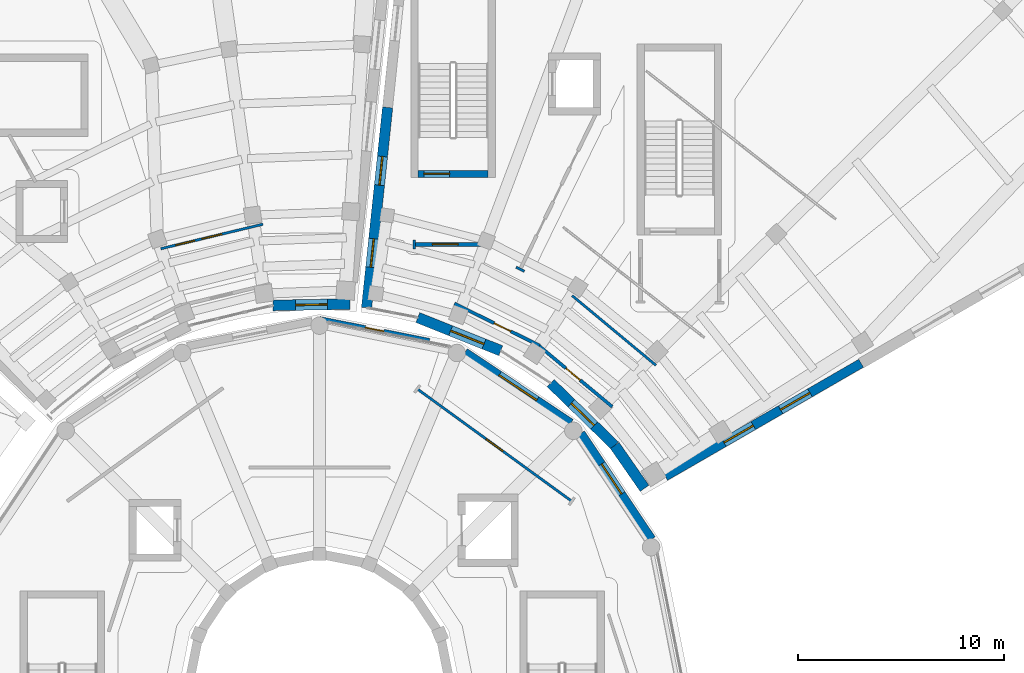
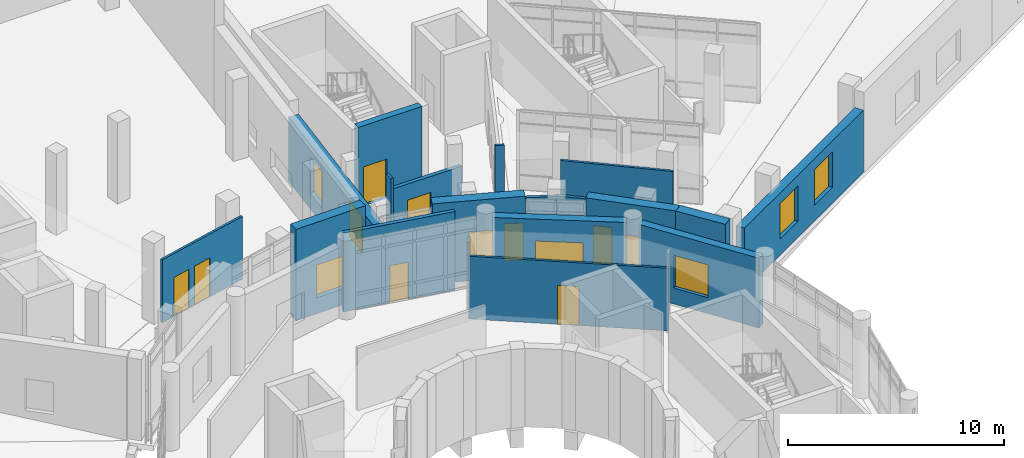
# One storey, part 36 of 49: 18 walls, 9 windows, 8 doors, 17 openings.
"""IFC4 building model written with IfcOpenShell, lengths in metres."""

from ifc_helpers import new_model, si_unit, direction, frame, frame_2d, origin, place, context, subcontext, project, spatial, rectangle, extrude, material, layer, layer_set, type_object, element, fill, save


model = new_model("IFC4")

# Units and contexts
model_context = context("Model", 3, precision=1e-05, world=origin(), true_north=direction((0.0, 1.0)))
body_context = subcontext(model_context, "Body", "Model", "MODEL_VIEW")
ifc_project = project(units=[si_unit("LENGTHUNIT", "METRE"), si_unit("AREAUNIT", "SQUARE_METRE"), si_unit("VOLUMEUNIT", "CUBIC_METRE"), si_unit("PLANEANGLEUNIT", "RADIAN"), si_unit("MASSUNIT", "GRAM", prefix="KILO")], contexts=[model_context])

# Site, building, storey
site_placement = place(None, origin())
site = spatial("IfcSite", under=ifc_project, at=site_placement, CompositionType="ELEMENT")
building_placement = place(site_placement, origin())
building = spatial("IfcBuilding", under=site, at=building_placement, Name="Soyqirgoq Riverine Aquarium", CompositionType="ELEMENT")
storey_placement = place(building_placement, frame((0.0, 0.0, 15.0)))
storey = spatial("IfcBuildingStorey", under=building, at=storey_placement, Name="L04", CompositionType="ELEMENT", Elevation=15.0)

# Wall, opening, door
ifc_material_1 = material(Name="Concrete C40/50", Category="concrete")
ifc_layer_1 = layer(ifc_material_1, 0.35009765625)
ifc_layer_set_1 = layer_set([ifc_layer_1], Name="Concrete C40/50")
wall_type_1 = type_object("IfcWallType", Name="CoreShearWall_350_C40", PredefinedType="SHEAR", material=ifc_layer_set_1)
wall_1_placement = place(storey_placement, frame((60.800048828125, 81.824951171875, 0.0), z_axis=(0.0, 0.0, 1.0), x_axis=(1.0, 0.0, 0.0)))
wall_1 = element("IfcWall", 1, at=wall_1_placement, inside=storey, type_object=wall_type_1, Name="CORE-5A L04 Stair Core Shear Wall FRONT", PredefinedType="SHEAR", context=body_context, shape_type="SweptSolid", body=[
    extrude(rectangle(XDim=3.39990234375, YDim=0.35009765625, at=frame_2d((1.699951171875, 0.0))), origin(), (0.0, 0.0, 1.0), 4.52001953125),
])
opening_1_placement = place(wall_1_placement, frame((0.280029296875, 0.0, 0.0)))
opening_1 = element("IfcOpeningElement", 2, at=opening_1_placement, cuts=wall_1, Name="Opening FD-01", PredefinedType="OPENING", context=body_context, shape_type="SweptSolid", body=[
    extrude(rectangle(XDim=1.25, YDim=2.199951171875, at=frame_2d((0.625, 1.10009765625))), frame((0.0, 0.18505859375, 0.0), z_axis=(0.0, -1.0, 0.0), x_axis=(1.0, 0.0, 0.0)), (0.0, 0.0, 1.0), 0.3701171875),
])
ifc_material_2 = material(Name="Galvanised steel fire-resisting stair door", Category="steel")
door_type_1 = type_object("IfcDoorType", Name="StairFireDoor_1250x2200_EI90", OperationType="NOTDEFINED", PredefinedType="DOOR", material=ifc_material_2)
door_1_placement = place(opening_1_placement, origin())
door_1 = element("IfcDoor", 3, at=door_1_placement, inside=storey, type_object=door_type_1, Name="DR-ST-5-L04 ST-5 L04 Fire-Rated Stairwell Door", OperationType="SINGLE_SWING_LEFT", OverallHeight=2.199951171875, OverallWidth=1.25, PredefinedType="DOOR", context=body_context, shape_type="SweptSolid", body=[
    extrude(rectangle(XDim=1.25, YDim=2.199951171875, at=frame_2d((0.625, 1.10009765625))), frame((0.0, 0.02490234375, 0.0), z_axis=(0.0, -1.0, 0.0), x_axis=(1.0, 0.0, 0.0)), (0.0, 0.0, 1.0), 0.050048828125),
])
fill(opening_1, door_1)

ifc_material_3 = material(Name="Lightweight steel-stud gypsum partition", Category="steel")
ifc_layer_2 = layer(ifc_material_3, 0.1201171875)
ifc_layer_set_2 = layer_set([ifc_layer_2], Name="Lightweight steel-stud gypsum partition")
wall_type_2 = type_object("IfcWallType", Name="PartitionWall_120_Std", PredefinedType="PARTITIONING", material=ifc_layer_set_2)
wall_2_placement = place(storey_placement, frame((60.753662109375, 71.37158203125, 0.0), z_axis=(0.0, 0.0, 1.0), x_axis=(0.809008822634, -0.587796499564, 0.0)))
wall_2 = element("IfcWall", 4, at=wall_2_placement, inside=storey, type_object=wall_type_2, Name="Marine Mammals Observation Room Partition Wall", PredefinedType="PARTITIONING", context=body_context, shape_type="SweptSolid", body=[
    extrude(rectangle(XDim=9.287109375, YDim=0.1201171875, at=frame_2d((4.6435546875, 0.0))), origin(), (0.0, 0.0, 1.0), 3.5400390625),
])
opening_2_placement = place(wall_2_placement, frame((4.1435546875, 0.0, 0.0)))
opening_2 = element("IfcOpeningElement", 5, at=opening_2_placement, cuts=wall_2, Name="Opening ID-03", PredefinedType="OPENING", context=body_context, shape_type="SweptSolid", body=[
    extrude(rectangle(XDim=1.0, YDim=2.199951171875, at=frame_2d((0.5, 1.10009765625))), frame((0.0, 0.070068359375, 0.0), z_axis=(0.0, -1.0, 0.0), x_axis=(1.0, 0.0, 0.0)), (0.0, 0.0, 1.0), 0.14013671875),
])
ifc_material_4 = material(Name="Solid-core ash veneer room door", Category="wood")
door_type_2 = type_object("IfcDoorType", Name="RoomDoor_1000x2200", OperationType="NOTDEFINED", PredefinedType="DOOR", material=ifc_material_4)
door_2_placement = place(opening_2_placement, origin())
door_2 = element("IfcDoor", 6, at=door_2_placement, inside=storey, type_object=door_type_2, Name="IDR-V1-L04-0049 Ocean Drum Circulation Corridor Door", OperationType="SINGLE_SWING_RIGHT", OverallHeight=2.199951171875, OverallWidth=1.0, PredefinedType="DOOR", context=body_context, shape_type="SweptSolid", body=[
    extrude(rectangle(XDim=1.0, YDim=2.199951171875, at=frame_2d((0.5, 1.10009765625))), frame((0.0, 0.02490234375, 0.0), z_axis=(0.0, -1.0, 0.0), x_axis=(1.0, 0.0, 0.0)), (0.0, 0.0, 1.0), 0.050048828125),
])
fill(opening_2, door_2)

# Wall, openings, doors
wall_3_placement = place(storey_placement, frame((53.251708984375, 79.3818359375, 0.0), z_axis=(0.0, 0.0, 1.0), x_axis=(-0.972378185718, -0.233410933633, 0.0)))
wall_3 = element("IfcWall", 7, at=wall_3_placement, inside=storey, type_object=wall_type_2, Name="V4 Gallery Circulation Corridor Partition Wall", PredefinedType="PARTITIONING", context=body_context, shape_type="SweptSolid", body=[
    extrude(rectangle(XDim=5.10546875, YDim=0.1201171875, at=frame_2d((2.552734375, 0.0))), origin(), (0.0, 0.0, 1.0), 3.550048828125),
])
opening_3_placement = place(wall_3_placement, frame((2.052734375, 0.0, 0.0)))
opening_3 = element("IfcOpeningElement", 8, at=opening_3_placement, cuts=wall_3, Name="Opening ID-03", PredefinedType="OPENING", context=body_context, shape_type="SweptSolid", body=[
    extrude(rectangle(XDim=1.0, YDim=2.199951171875, at=frame_2d((0.5, 1.10009765625))), frame((0.0, 0.070068359375, 0.0), z_axis=(0.0, -1.0, 0.0), x_axis=(1.0, 0.0, 0.0)), (0.0, 0.0, 1.0), 0.14013671875),
])
opening_4_placement = place(wall_3_placement, frame((3.407470703125, 0.0, 0.0)))
opening_4 = element("IfcOpeningElement", 9, at=opening_4_placement, cuts=wall_3, Name="Opening ID-06", PredefinedType="OPENING", context=body_context, shape_type="SweptSolid", body=[
    extrude(rectangle(XDim=0.949951171875, YDim=2.199951171875, at=frame_2d((0.47509765625, 1.10009765625))), frame((0.0, 0.070068359375, 0.0), z_axis=(0.0, -1.0, 0.0), x_axis=(1.0, 0.0, 0.0)), (0.0, 0.0, 1.0), 0.14013671875),
])
door_3_placement = place(opening_3_placement, origin())
door_3 = element("IfcDoor", 10, at=door_3_placement, inside=storey, type_object=door_type_2, Name="IDR-V4-L04-0129 Coral Propagation Nursery Door", OperationType="SINGLE_SWING_LEFT", OverallHeight=2.199951171875, OverallWidth=1.0, PredefinedType="DOOR", context=body_context, shape_type="SweptSolid", body=[
    extrude(rectangle(XDim=1.0, YDim=2.199951171875, at=frame_2d((0.5, 1.10009765625))), frame((0.0, 0.02490234375, 0.0), z_axis=(0.0, -1.0, 0.0), x_axis=(1.0, 0.0, 0.0)), (0.0, 0.0, 1.0), 0.050048828125),
])
fill(opening_3, door_3)
ifc_material_5 = material(Name="Moisture-resistant HPL washroom door", Category="wood")
door_type_3 = type_object("IfcDoorType", Name="WCDoor_950x2200", OperationType="NOTDEFINED", PredefinedType="DOOR", material=ifc_material_5)
door_4_placement = place(opening_4_placement, origin())
door_4 = element("IfcDoor", 11, at=door_4_placement, inside=storey, type_object=door_type_3, Name="IDR-V4-L04-0134 V4 Gallery Circulation Corridor Access Door", OperationType="SINGLE_SWING_LEFT", OverallHeight=2.199951171875, OverallWidth=0.949951171875, PredefinedType="DOOR", context=body_context, shape_type="SweptSolid", body=[
    extrude(rectangle(XDim=0.949951171875, YDim=2.199951171875, at=frame_2d((0.47509765625, 1.10009765625))), frame((0.0, 0.02490234375, 0.0), z_axis=(0.0, -1.0, 0.0), x_axis=(1.0, 0.0, 0.0)), (0.0, 0.0, 1.0), 0.050048828125),
])
fill(opening_4, door_4)

# Walls
wall_4_placement = place(storey_placement, frame((72.357177734375, 72.5224609375, 0.0), z_axis=(0.0, 0.0, 1.0), x_axis=(-0.768847565949, 0.639432107682, 0.0)))
element("IfcWall", 12, at=wall_4_placement, inside=storey, type_object=wall_type_2, Name="V5 Gallery Circulation Corridor Partition Wall", PredefinedType="PARTITIONING", context=body_context, shape_type="SweptSolid", body=[
    extrude(rectangle(XDim=5.301025390625, YDim=0.1201171875, at=frame_2d((2.650390625, 0.0))), origin(), (0.0, 0.0, 1.0), 3.56005859375),
])
wall_5_placement = place(storey_placement, frame((60.60009765625, 78.179931640625, 0.0), z_axis=(0.0, 0.0, 1.0), x_axis=(0.0, 1.0, 0.0)))
element("IfcWall", 13, at=wall_5_placement, inside=storey, type_object=wall_type_2, Name="V5 L04 Jamb Return Pier", PredefinedType="PARTITIONING", context=body_context, shape_type="SweptSolid", body=[
    extrude(rectangle(XDim=0.440185546875, YDim=0.1201171875, at=frame_2d((0.22021484375, 0.0))), origin(), (0.0, 0.0, 1.0), 3.830078125),
])
wall_6_placement = place(storey_placement, frame((65.955810546875, 77.093505859375, 0.0), z_axis=(0.0, 0.0, 1.0), x_axis=(-0.898715089152, 0.438532995942, 0.0)))
element("IfcWall", 14, at=wall_6_placement, inside=storey, type_object=wall_type_2, Name="V5 L04 Jamb Return Pier", PredefinedType="PARTITIONING", context=body_context, shape_type="SweptSolid", body=[
    extrude(rectangle(XDim=0.439697265625, YDim=0.1201171875, at=frame_2d((0.2197265625, 0.0))), origin(), (0.0, 0.0, 1.0), 4.52001953125),
])

# Wall, opening, door
ifc_material_6 = material(Name="Fire-rated acoustic gypsum stud partition", Category="gypsum")
ifc_layer_3 = layer(ifc_material_6, 0.159912109375)
ifc_layer_set_3 = layer_set([ifc_layer_3], Name="Fire-rated acoustic gypsum stud partition")
wall_type_3 = type_object("IfcWallType", Name="PartitionWall_160_EI60", PredefinedType="PARTITIONING", material=ifc_layer_set_3)
wall_7_placement = place(storey_placement, frame((62.559326171875, 75.52294921875, 0.0), z_axis=(0.0, 0.0, 1.0), x_axis=(0.896876614616, -0.442280836296, 0.0)))
wall_7 = element("IfcWall", 15, at=wall_7_placement, inside=storey, type_object=wall_type_3, Name="V5 Gallery Circulation Corridor Partition Wall", PredefinedType="PARTITIONING", context=body_context, shape_type="SweptSolid", body=[
    extrude(rectangle(XDim=4.619140625, YDim=0.159912109375, at=frame_2d((2.3095703125, 0.0))), origin(), (0.0, 0.0, 1.0), 3.56005859375),
])
opening_5_placement = place(wall_7_placement, frame((2.1572265625, 0.0, 0.0)))
opening_5 = element("IfcOpeningElement", 16, at=opening_5_placement, cuts=wall_7, Name="Opening RD-01", PredefinedType="OPENING", context=body_context, shape_type="SweptSolid", body=[
    extrude(rectangle(XDim=0.89990234375, YDim=2.10009765625, at=frame_2d((0.449951171875, 1.050048828125))), frame((0.0, 0.08984375, 0.0), z_axis=(0.0, -1.0, 0.0), x_axis=(1.0, 0.0, 0.0)), (0.0, 0.0, 1.0), 0.179931640625),
])
ifc_material_7 = material(Name="Flush steel service riser fire door", Category="steel")
door_type_4 = type_object("IfcDoorType", Name="RiserAccessDoor_900x2100_EI60", OperationType="NOTDEFINED", PredefinedType="DOOR", material=ifc_material_7)
door_5_placement = place(opening_5_placement, origin())
door_5 = element("IfcDoor", 17, at=door_5_placement, inside=storey, type_object=door_type_4, Name="IDR-V5-L04-0157 Larval Rearing Aquaculture Lab Door", OperationType="SINGLE_SWING_LEFT", OverallHeight=2.10009765625, OverallWidth=0.89990234375, PredefinedType="DOOR", context=body_context, shape_type="SweptSolid", body=[
    extrude(rectangle(XDim=0.89990234375, YDim=2.10009765625, at=frame_2d((0.449951171875, 1.050048828125))), frame((0.0, 0.02490234375, 0.0), z_axis=(0.0, -1.0, 0.0), x_axis=(1.0, 0.0, 0.0)), (0.0, 0.0, 1.0), 0.050048828125),
])
fill(opening_5, door_5)

wall_8_placement = place(storey_placement, frame((70.231689453125, 70.50537109375, 0.0), z_axis=(0.0, 0.0, 1.0), x_axis=(-0.768814270134, 0.639472140158, 0.0)))
wall_8 = element("IfcWall", 18, at=wall_8_placement, inside=storey, type_object=wall_type_3, Name="Larval Rearing Aquaculture Lab Partition Wall", PredefinedType="PARTITIONING", context=body_context, shape_type="SweptSolid", body=[
    extrude(rectangle(XDim=4.620849609375, YDim=0.159912109375, at=frame_2d((2.310546875, 0.0))), origin(), (0.0, 0.0, 1.0), 3.610107421875),
])
opening_6_placement = place(wall_8_placement, frame((2.025390625, 0.0, 0.0)))
opening_6 = element("IfcOpeningElement", 19, at=opening_6_placement, cuts=wall_8, Name="Opening RD-01", PredefinedType="OPENING", context=body_context, shape_type="SweptSolid", body=[
    extrude(rectangle(XDim=0.89990234375, YDim=2.10009765625, at=frame_2d((0.449951171875, 1.050048828125))), frame((0.0, 0.08984375, 0.0), z_axis=(0.0, -1.0, 0.0), x_axis=(1.0, 0.0, 0.0)), (0.0, 0.0, 1.0), 0.179931640625),
])
door_6_placement = place(opening_6_placement, origin())
door_6 = element("IfcDoor", 20, at=door_6_placement, inside=storey, type_object=door_type_4, Name="IDR-V5-L04-0158 Larval Rearing Aquaculture Lab Door", OperationType="SINGLE_SWING_RIGHT", OverallHeight=2.10009765625, OverallWidth=0.89990234375, PredefinedType="DOOR", context=body_context, shape_type="SweptSolid", body=[
    extrude(rectangle(XDim=0.89990234375, YDim=2.10009765625, at=frame_2d((0.449951171875, 1.050048828125))), frame((0.0, 0.02490234375, 0.0), z_axis=(0.0, -1.0, 0.0), x_axis=(1.0, 0.0, 0.0)), (0.0, 0.0, 1.0), 0.050048828125),
])
fill(opening_6, door_6)

ifc_material_8 = material(Name="Fire-rated calcium silicate twin-stud partition", Category="gypsum")
ifc_layer_4 = layer(ifc_material_8, 0.199951171875)
ifc_layer_set_4 = layer_set([ifc_layer_4], Name="Fire-rated calcium silicate twin-stud partition")
wall_type_4 = type_object("IfcWallType", Name="PartitionWall_200_EI90", PredefinedType="PARTITIONING", material=ifc_layer_set_4)
wall_9_placement = place(storey_placement, frame((61.352294921875, 73.7314453125, 0.0), z_axis=(0.0, 0.0, 1.0), x_axis=(-0.980783190209, 0.195100829836, 0.0)))
wall_9 = element("IfcWall", 21, at=wall_9_placement, inside=storey, type_object=wall_type_4, Name="Interactive Reef Classroom Partition Wall", PredefinedType="PARTITIONING", context=body_context, shape_type="SweptSolid", body=[
    extrude(rectangle(XDim=5.457275390625, YDim=0.199951171875, at=frame_2d((2.728515625, 0.0))), origin(), (0.0, 0.0, 1.0), 4.449951171875),
])
opening_7_placement = place(wall_9_placement, frame((2.278564453125, 0.0, 0.0)))
opening_7 = element("IfcOpeningElement", 22, at=opening_7_placement, cuts=wall_9, Name="Opening RD-01", PredefinedType="OPENING", context=body_context, shape_type="SweptSolid", body=[
    extrude(rectangle(XDim=0.89990234375, YDim=2.10009765625, at=frame_2d((0.449951171875, 1.050048828125))), frame((0.0, 0.10986328125, 0.0), z_axis=(0.0, -1.0, 0.0), x_axis=(1.0, 0.0, 0.0)), (0.0, 0.0, 1.0), 0.219970703125),
])
door_7_placement = place(opening_7_placement, origin())
door_7 = element("IfcDoor", 23, at=door_7_placement, inside=storey, type_object=door_type_4, Name="IDR-V1-L04-0052 Interactive Reef Classroom Access Door", OperationType="SINGLE_SWING_LEFT", OverallHeight=2.10009765625, OverallWidth=0.89990234375, PredefinedType="DOOR", context=body_context, shape_type="SweptSolid", body=[
    extrude(rectangle(XDim=0.89990234375, YDim=2.10009765625, at=frame_2d((0.449951171875, 1.050048828125))), frame((0.0, 0.02490234375, 0.0), z_axis=(0.0, -1.0, 0.0), x_axis=(1.0, 0.0, 0.0)), (0.0, 0.0, 1.0), 0.050048828125),
])
fill(opening_7, door_7)

wall_10_placement = place(storey_placement, frame((60.60009765625, 78.39990234375, 0.0), z_axis=(0.0, 0.0, 1.0), x_axis=(1.0, 0.0, 0.0)))
wall_10 = element("IfcWall", 24, at=wall_10_placement, inside=storey, type_object=wall_type_4, Name="Lift and Stair Lobby ST-5 Fire Enclosure Wall", PredefinedType="PARTITIONING", context=body_context, shape_type="SweptSolid", body=[
    extrude(rectangle(XDim=3.7998046875, YDim=0.199951171875, at=frame_2d((1.89990234375, 0.0))), origin(), (0.0, 0.0, 1.0), 3.110107421875),
])
opening_8_placement = place(wall_10_placement, frame((0.892578125, 0.0, 0.0)))
opening_8 = element("IfcOpeningElement", 25, at=opening_8_placement, cuts=wall_10, Name="Opening FD-01", PredefinedType="OPENING", context=body_context, shape_type="SweptSolid", body=[
    extrude(rectangle(XDim=1.25, YDim=2.199951171875, at=frame_2d((0.625, 1.10009765625))), frame((0.0, 0.10986328125, 0.0), z_axis=(0.0, -1.0, 0.0), x_axis=(1.0, 0.0, 0.0)), (0.0, 0.0, 1.0), 0.219970703125),
])
door_8_placement = place(opening_8_placement, origin())
door_8 = element("IfcDoor", 26, at=door_8_placement, inside=storey, type_object=door_type_1, Name="IDR-V5-L04-0155 Lift and Stair Lobby ST-5 Egress Fire Door", OperationType="SINGLE_SWING_LEFT", OverallHeight=2.199951171875, OverallWidth=1.25, PredefinedType="DOOR", context=body_context, shape_type="SweptSolid", body=[
    extrude(rectangle(XDim=1.25, YDim=2.199951171875, at=frame_2d((0.625, 1.10009765625))), frame((0.0, 0.02490234375, 0.0), z_axis=(0.0, -1.0, 0.0), x_axis=(1.0, 0.0, 0.0)), (0.0, 0.0, 1.0), 0.050048828125),
])
fill(opening_8, door_8)

# Wall, openings, windows
ifc_material_9 = material(Name="Honed travertine limestone cavity wall", Category="masonry")
ifc_layer_5 = layer(ifc_material_9, 0.449951171875)
ifc_layer_set_5 = layer_set([ifc_layer_5], Name="Honed travertine limestone cavity wall")
wall_type_5 = type_object("IfcWallType", Name="TravertineCavityWall_450", PredefinedType="SOLIDWALL", material=ifc_layer_set_5)
wall_11_placement = place(storey_placement, frame((82.3349609375, 72.6201171875, 0.0), z_axis=(0.0, 0.0, 1.0), x_axis=(-0.866026601676, -0.499997925185, 0.0)))
wall_11 = element("IfcWall", 27, at=wall_11_placement, inside=storey, type_object=wall_type_5, Name="V5 L04 Exterior Travertine Wall 0320", PredefinedType="SOLIDWALL", context=body_context, shape_type="SweptSolid", body=[
    extrude(rectangle(XDim=10.99609375, YDim=0.449951171875, at=frame_2d((5.498046875, 0.0))), origin(), (0.0, 0.0, 1.0), 3.510009765625),
])
opening_9_placement = place(wall_11_placement, frame((2.873046875, 0.0, 0.89990234375)))
opening_9 = element("IfcOpeningElement", 28, at=opening_9_placement, cuts=wall_11, Name="Opening WN-13", PredefinedType="OPENING", context=body_context, shape_type="SweptSolid", body=[
    extrude(rectangle(XDim=1.64990234375, YDim=2.0, at=frame_2d((0.824951171875, 1.0))), frame((0.0, 0.23486328125, 0.0), z_axis=(0.0, -1.0, 0.0), x_axis=(1.0, 0.0, 0.0)), (0.0, 0.0, 1.0), 0.469970703125),
])
opening_10_placement = place(wall_11_placement, frame((6.052978515625, 0.0, 0.89990234375)))
opening_10 = element("IfcOpeningElement", 29, at=opening_10_placement, cuts=wall_11, Name="Opening WN-13", PredefinedType="OPENING", context=body_context, shape_type="SweptSolid", body=[
    extrude(rectangle(XDim=1.64990234375, YDim=2.0, at=frame_2d((0.824951171875, 1.0))), frame((0.0, 0.23486328125, 0.0), z_axis=(0.0, -1.0, 0.0), x_axis=(1.0, 0.0, 0.0)), (0.0, 0.0, 1.0), 0.469970703125),
])
ifc_material_10 = material(Name="Thermally broken aluminium triple low-E window", Category="aluminium")
window_type_1 = type_object("IfcWindowType", Name="Win_Gallery_1650x2000", PartitioningType="DOUBLE_PANEL_VERTICAL", PredefinedType="WINDOW", material=ifc_material_10)
window_1_placement = place(opening_9_placement, origin())
window_1 = element("IfcWindow", 30, at=window_1_placement, inside=storey, type_object=window_type_1, Name="V5 L04 Facade Window 0266", OverallHeight=2.0, OverallWidth=1.64990234375, PartitioningType="DOUBLE_PANEL_VERTICAL", PredefinedType="WINDOW", context=body_context, shape_type="SweptSolid", body=[
    extrude(rectangle(XDim=1.64990234375, YDim=2.0, at=frame_2d((0.824951171875, 1.0))), frame((0.0, 0.030029296875, 0.0), z_axis=(0.0, -1.0, 0.0), x_axis=(1.0, 0.0, 0.0)), (0.0, 0.0, 1.0), 0.06005859375),
])
fill(opening_9, window_1)
window_2_placement = place(opening_10_placement, origin())
window_2 = element("IfcWindow", 31, at=window_2_placement, inside=storey, type_object=window_type_1, Name="V5 L04 Facade Window 0267", OverallHeight=2.0, OverallWidth=1.64990234375, PartitioningType="DOUBLE_PANEL_VERTICAL", PredefinedType="WINDOW", context=body_context, shape_type="SweptSolid", body=[
    extrude(rectangle(XDim=1.64990234375, YDim=2.0, at=frame_2d((0.824951171875, 1.0))), frame((0.0, 0.030029296875, 0.0), z_axis=(0.0, -1.0, 0.0), x_axis=(1.0, 0.0, 0.0)), (0.0, 0.0, 1.0), 0.06005859375),
])
fill(opening_10, window_2)

# Wall, opening, window
ifc_material_11 = material(Name="Honed travertine limestone cavity wall", Category="masonry")
ifc_layer_6 = layer(ifc_material_11, 0.5)
ifc_layer_set_6 = layer_set([ifc_layer_6], Name="Honed travertine limestone cavity wall")
wall_type_6 = type_object("IfcWallType", Name="TravertineCavityWall_500", PredefinedType="SOLIDWALL", material=ifc_layer_set_6)
wall_12_placement = place(storey_placement, frame((70.35400390625, 68.623779296875, 0.0), z_axis=(0.0, 0.0, 1.0), x_axis=(-0.716323988625, 0.697767829095, 0.0)))
wall_12 = element("IfcWall", 32, at=wall_12_placement, inside=storey, type_object=wall_type_6, Name="V5 L04 Exterior Travertine Wall 0301", PredefinedType="SOLIDWALL", context=body_context, shape_type="SweptSolid", body=[
    extrude(rectangle(XDim=4.341796875, YDim=0.5, at=frame_2d((2.1708984375, 0.0))), origin(), (0.0, 0.0, 1.0), 4.52001953125),
])
opening_11_placement = place(wall_12_placement, frame((1.39599609375, 0.0, 0.89990234375)))
opening_11 = element("IfcOpeningElement", 33, at=opening_11_placement, cuts=wall_12, Name="Opening WN-18", PredefinedType="OPENING", context=body_context, shape_type="SweptSolid", body=[
    extrude(rectangle(XDim=1.550048828125, YDim=1.85009765625, at=frame_2d((0.77490234375, 0.925048828125))), frame((0.0, 0.260009765625, 0.0), z_axis=(0.0, -1.0, 0.0), x_axis=(1.0, 0.0, 0.0)), (0.0, 0.0, 1.0), 0.52001953125),
])
ifc_material_12 = material(Name="Thermally broken aluminium triple low-E window", Category="aluminium")
window_type_2 = type_object("IfcWindowType", Name="Win_Office_1550x1850", PartitioningType="DOUBLE_PANEL_VERTICAL", PredefinedType="WINDOW", material=ifc_material_12)
window_3_placement = place(opening_11_placement, origin())
window_3 = element("IfcWindow", 34, at=window_3_placement, inside=storey, type_object=window_type_2, Name="V5 L04 Facade Window 0243", OverallHeight=1.85009765625, OverallWidth=1.550048828125, PartitioningType="DOUBLE_PANEL_VERTICAL", PredefinedType="WINDOW", context=body_context, shape_type="SweptSolid", body=[
    extrude(rectangle(XDim=1.550048828125, YDim=1.85009765625, at=frame_2d((0.77490234375, 0.925048828125))), frame((0.0, 0.030029296875, 0.0), z_axis=(0.0, -1.0, 0.0), x_axis=(1.0, 0.0, 0.0)), (0.0, 0.0, 1.0), 0.06005859375),
])
fill(opening_11, window_3)

# Wall, openings, windows
wall_13_placement = place(storey_placement, frame((58.287353515625, 75.3173828125, 0.0), z_axis=(0.0, 0.0, 1.0), x_axis=(0.104523915148, 0.994522373384, 0.0)))
wall_13 = element("IfcWall", 35, at=wall_13_placement, inside=storey, type_object=wall_type_6, Name="V5 L04 Exterior Travertine Wall 0303", PredefinedType="SOLIDWALL", context=body_context, shape_type="SweptSolid", body=[
    extrude(rectangle(XDim=9.796142578125, YDim=0.5, at=frame_2d((4.89794921875, 0.0))), origin(), (0.0, 0.0, 1.0), 3.659912109375),
])
opening_12_placement = place(wall_13_placement, frame((1.97802734375, 0.0, 0.89990234375)))
opening_12 = element("IfcOpeningElement", 36, at=opening_12_placement, cuts=wall_13, Name="Opening WN-20", PredefinedType="OPENING", context=body_context, shape_type="SweptSolid", body=[
    extrude(rectangle(XDim=1.39990234375, YDim=2.050048828125, at=frame_2d((0.699951171875, 1.02490234375))), frame((0.0, 0.260009765625, 0.0), z_axis=(0.0, -1.0, 0.0), x_axis=(1.0, 0.0, 0.0)), (0.0, 0.0, 1.0), 0.52001953125),
])
opening_13_placement = place(wall_13_placement, frame((5.998046875, 0.0, 0.89990234375)))
opening_13 = element("IfcOpeningElement", 37, at=opening_13_placement, cuts=wall_13, Name="Opening WN-20", PredefinedType="OPENING", context=body_context, shape_type="SweptSolid", body=[
    extrude(rectangle(XDim=1.39990234375, YDim=2.050048828125, at=frame_2d((0.699951171875, 1.02490234375))), frame((0.0, 0.260009765625, 0.0), z_axis=(0.0, -1.0, 0.0), x_axis=(1.0, 0.0, 0.0)), (0.0, 0.0, 1.0), 0.52001953125),
])
ifc_material_13 = material(Name="Thermally broken aluminium triple low-E window", Category="aluminium")
window_type_3 = type_object("IfcWindowType", Name="Win_Gallery_1400x2050", PartitioningType="DOUBLE_PANEL_VERTICAL", PredefinedType="WINDOW", material=ifc_material_13)
window_4_placement = place(opening_12_placement, origin())
window_4 = element("IfcWindow", 38, at=window_4_placement, inside=storey, type_object=window_type_3, Name="V5 L04 Facade Window 0245", OverallHeight=2.050048828125, OverallWidth=1.39990234375, PartitioningType="DOUBLE_PANEL_VERTICAL", PredefinedType="WINDOW", context=body_context, shape_type="SweptSolid", body=[
    extrude(rectangle(XDim=1.39990234375, YDim=2.050048828125, at=frame_2d((0.699951171875, 1.02490234375))), frame((0.0, 0.030029296875, 0.0), z_axis=(0.0, -1.0, 0.0), x_axis=(1.0, 0.0, 0.0)), (0.0, 0.0, 1.0), 0.06005859375),
])
fill(opening_12, window_4)
window_5_placement = place(opening_13_placement, origin())
window_5 = element("IfcWindow", 39, at=window_5_placement, inside=storey, type_object=window_type_3, Name="V5 L04 Facade Window 0246", OverallHeight=2.050048828125, OverallWidth=1.39990234375, PartitioningType="DOUBLE_PANEL_VERTICAL", PredefinedType="WINDOW", context=body_context, shape_type="SweptSolid", body=[
    extrude(rectangle(XDim=1.39990234375, YDim=2.050048828125, at=frame_2d((0.699951171875, 1.02490234375))), frame((0.0, 0.030029296875, 0.0), z_axis=(0.0, -1.0, 0.0), x_axis=(1.0, 0.0, 0.0)), (0.0, 0.0, 1.0), 0.06005859375),
])
fill(opening_13, window_5)

# Wall, opening, window
ifc_material_14 = material(Name="Honed travertine limestone cavity wall", Category="masonry")
ifc_layer_7 = layer(ifc_material_14, 0.52001953125)
ifc_layer_set_7 = layer_set([ifc_layer_7], Name="Honed travertine limestone cavity wall")
wall_type_7 = type_object("IfcWallType", Name="TravertineCavityWall_520", PredefinedType="SOLIDWALL", material=ifc_layer_set_7)
wall_14_placement = place(storey_placement, frame((57.481689453125, 75.499267578125, 0.0), z_axis=(0.0, 0.0, 1.0), x_axis=(-0.99983815897, -0.017990438221, 0.0)))
wall_14 = element("IfcWall", 40, at=wall_14_placement, inside=storey, type_object=wall_type_7, Name="V4 L04 Exterior Travertine Wall 0235", PredefinedType="SOLIDWALL", context=body_context, shape_type="SweptSolid", body=[
    extrude(rectangle(XDim=3.745361328125, YDim=0.52001953125, at=frame_2d((1.87255859375, 0.0))), origin(), (0.0, 0.0, 1.0), 5.159912109375),
])
opening_14_placement = place(wall_14_placement, frame((1.097900390625, 0.0, 0.89990234375)))
opening_14 = element("IfcOpeningElement", 41, at=opening_14_placement, cuts=wall_14, Name="Opening WN-18", PredefinedType="OPENING", context=body_context, shape_type="SweptSolid", body=[
    extrude(rectangle(XDim=1.550048828125, YDim=1.85009765625, at=frame_2d((0.77490234375, 0.925048828125))), frame((0.0, 0.27001953125, 0.0), z_axis=(0.0, -1.0, 0.0), x_axis=(1.0, 0.0, 0.0)), (0.0, 0.0, 1.0), 0.5400390625),
])
window_6_placement = place(opening_14_placement, origin())
window_6 = element("IfcWindow", 42, at=window_6_placement, inside=storey, type_object=window_type_2, Name="V4 L04 Facade Window 0177", OverallHeight=1.85009765625, OverallWidth=1.550048828125, PartitioningType="DOUBLE_PANEL_VERTICAL", PredefinedType="WINDOW", context=body_context, shape_type="SweptSolid", body=[
    extrude(rectangle(XDim=1.550048828125, YDim=1.85009765625, at=frame_2d((0.77490234375, 0.925048828125))), frame((0.0, 0.030029296875, 0.0), z_axis=(0.0, -1.0, 0.0), x_axis=(1.0, 0.0, 0.0)), (0.0, 0.0, 1.0), 0.06005859375),
])
fill(opening_14, window_6)

wall_15_placement = place(storey_placement, frame((64.813232421875, 73.23193359375, 0.0), z_axis=(0.0, 0.0, 1.0), x_axis=(-0.928809819566, 0.370556769036, 0.0)))
wall_15 = element("IfcWall", 43, at=wall_15_placement, inside=storey, type_object=wall_type_7, Name="V5 L04 Exterior Travertine Wall 0302", PredefinedType="SOLIDWALL", context=body_context, shape_type="SweptSolid", body=[
    extrude(rectangle(XDim=4.341796875, YDim=0.52001953125, at=frame_2d((2.1708984375, 0.0))), origin(), (0.0, 0.0, 1.0), 4.52001953125),
])
opening_15_placement = place(wall_15_placement, frame((0.8759765625, 0.0, 0.89990234375)))
opening_15 = element("IfcOpeningElement", 44, at=opening_15_placement, cuts=wall_15, Name="Opening WN-19", PredefinedType="OPENING", context=body_context, shape_type="SweptSolid", body=[
    extrude(rectangle(XDim=1.75, YDim=1.85009765625, at=frame_2d((0.875, 0.925048828125))), frame((0.0, 0.27001953125, 0.0), z_axis=(0.0, -1.0, 0.0), x_axis=(1.0, 0.0, 0.0)), (0.0, 0.0, 1.0), 0.5400390625),
])
ifc_material_15 = material(Name="Thermally broken aluminium triple low-E window", Category="aluminium")
window_type_4 = type_object("IfcWindowType", Name="Win_Office_1750x1850", PartitioningType="DOUBLE_PANEL_VERTICAL", PredefinedType="WINDOW", material=ifc_material_15)
window_7_placement = place(opening_15_placement, origin())
window_7 = element("IfcWindow", 45, at=window_7_placement, inside=storey, type_object=window_type_4, Name="V5 L04 Facade Window 0244", OverallHeight=1.85009765625, OverallWidth=1.75, PartitioningType="DOUBLE_PANEL_VERTICAL", PredefinedType="WINDOW", context=body_context, shape_type="SweptSolid", body=[
    extrude(rectangle(XDim=1.75, YDim=1.85009765625, at=frame_2d((0.875, 0.925048828125))), frame((0.0, 0.030029296875, 0.0), z_axis=(0.0, -1.0, 0.0), x_axis=(1.0, 0.0, 0.0)), (0.0, 0.0, 1.0), 0.06005859375),
])
fill(opening_15, window_7)

# Wall
wall_16_placement = place(storey_placement, frame((71.803466796875, 66.539794921875, 0.0), z_axis=(0.0, 0.0, 1.0), x_axis=(-0.570994039062, 0.820954205395, 0.0)))
element("IfcWall", 46, at=wall_16_placement, inside=storey, type_object=wall_type_7, Name="V5 L04 Exterior Travertine Wall 0321", PredefinedType="SOLIDWALL", context=body_context, shape_type="SweptSolid", body=[
    extrude(rectangle(XDim=2.53857421875, YDim=0.52001953125, at=frame_2d((1.269287109375, 0.0))), origin(), (0.0, 0.0, 1.0), 4.52001953125),
])

# Wall, opening, window
ifc_material_16 = material(Name="Honed travertine limestone cavity wall", Category="masonry")
ifc_layer_8 = layer(ifc_material_16, 0.39990234375)
ifc_layer_set_8 = layer_set([ifc_layer_8], Name="Honed travertine limestone cavity wall")
wall_type_8 = type_object("IfcWallType", Name="TravertineSpandrelWall_400", PredefinedType="SOLIDWALL", material=ifc_layer_set_8)
wall_17_placement = place(storey_placement, frame((68.714599609375, 69.218017578125, 0.0), z_axis=(0.0, 0.0, 1.0), x_axis=(0.555600938927, -0.831449094451, 0.0)))
wall_17 = element("IfcWall", 47, at=wall_17_placement, inside=storey, type_object=wall_type_8, Name="V1 L04 Exterior Travertine Wall 0005", PredefinedType="SOLIDWALL", context=body_context, shape_type="SweptSolid", body=[
    extrude(rectangle(XDim=6.190185546875, YDim=0.39990234375, at=frame_2d((3.09521484375, 0.0))), origin(), (0.0, 0.0, 1.0), 3.93994140625),
])
opening_16_placement = place(wall_17_placement, frame((1.800048828125, 0.0, 0.89990234375)))
opening_16 = element("IfcOpeningElement", 48, at=opening_16_placement, cuts=wall_17, Name="Opening WN-19", PredefinedType="OPENING", context=body_context, shape_type="SweptSolid", body=[
    extrude(rectangle(XDim=1.75, YDim=1.85009765625, at=frame_2d((0.875, 0.925048828125))), frame((0.0, 0.2099609375, 0.0), z_axis=(0.0, -1.0, 0.0), x_axis=(1.0, 0.0, 0.0)), (0.0, 0.0, 1.0), 0.419921875),
])
window_8_placement = place(opening_16_placement, origin())
window_8 = element("IfcWindow", 49, at=window_8_placement, inside=storey, type_object=window_type_4, Name="V1 L04 Facade Window 0002", OverallHeight=1.85009765625, OverallWidth=1.75, PartitioningType="DOUBLE_PANEL_VERTICAL", PredefinedType="WINDOW", context=body_context, shape_type="SweptSolid", body=[
    extrude(rectangle(XDim=1.75, YDim=1.85009765625, at=frame_2d((0.875, 0.925048828125))), frame((0.0, 0.030029296875, 0.0), z_axis=(0.0, -1.0, 0.0), x_axis=(1.0, 0.0, 0.0)), (0.0, 0.0, 1.0), 0.06005859375),
])
fill(opening_16, window_8)

ifc_material_17 = material(Name="Honed travertine limestone cavity wall", Category="masonry")
ifc_layer_9 = layer(ifc_material_17, 0.419921875)
ifc_layer_set_9 = layer_set([ifc_layer_9], Name="Honed travertine limestone cavity wall")
wall_type_9 = type_object("IfcWallType", Name="TravertineSpandrelWall_420", PredefinedType="SOLIDWALL", material=ifc_layer_set_9)
wall_18_placement = place(storey_placement, frame((63.0712890625, 73.15380859375, 0.0), z_axis=(0.0, 0.0, 1.0), x_axis=(0.831449094451, -0.555600938927, 0.0)))
wall_18 = element("IfcWall", 50, at=wall_18_placement, inside=storey, type_object=wall_type_9, Name="V1 L04 Exterior Travertine Wall 0011", PredefinedType="SOLIDWALL", context=body_context, shape_type="SweptSolid", body=[
    extrude(rectangle(XDim=6.190185546875, YDim=0.419921875, at=frame_2d((3.09521484375, 0.0))), origin(), (0.0, 0.0, 1.0), 3.93994140625),
])
opening_17_placement = place(wall_18_placement, frame((1.9951171875, 0.0, 0.89990234375)))
opening_17 = element("IfcOpeningElement", 51, at=opening_17_placement, cuts=wall_18, Name="Opening WN-09", PredefinedType="OPENING", context=body_context, shape_type="SweptSolid", body=[
    extrude(rectangle(XDim=2.199951171875, YDim=1.800048828125, at=frame_2d((1.10009765625, 0.89990234375))), frame((0.0, 0.219970703125, 0.0), z_axis=(0.0, -1.0, 0.0), x_axis=(1.0, 0.0, 0.0)), (0.0, 0.0, 1.0), 0.43994140625),
])
ifc_material_18 = material(Name="Thermally broken aluminium triple low-E window", Category="aluminium")
window_type_5 = type_object("IfcWindowType", Name="Win_Office_2200x1800", PartitioningType="TRIPLE_PANEL_VERTICAL", PredefinedType="WINDOW", material=ifc_material_18)
window_9_placement = place(opening_17_placement, origin())
window_9 = element("IfcWindow", 52, at=window_9_placement, inside=storey, type_object=window_type_5, Name="V1 L04 Facade Window 0005", OverallHeight=1.800048828125, OverallWidth=2.199951171875, PartitioningType="TRIPLE_PANEL_VERTICAL", PredefinedType="WINDOW", context=body_context, shape_type="SweptSolid", body=[
    extrude(rectangle(XDim=2.199951171875, YDim=1.800048828125, at=frame_2d((1.10009765625, 0.89990234375))), frame((0.0, 0.030029296875, 0.0), z_axis=(0.0, -1.0, 0.0), x_axis=(1.0, 0.0, 0.0)), (0.0, 0.0, 1.0), 0.06005859375),
])
fill(opening_17, window_9)

save(model, "model.ifc")
